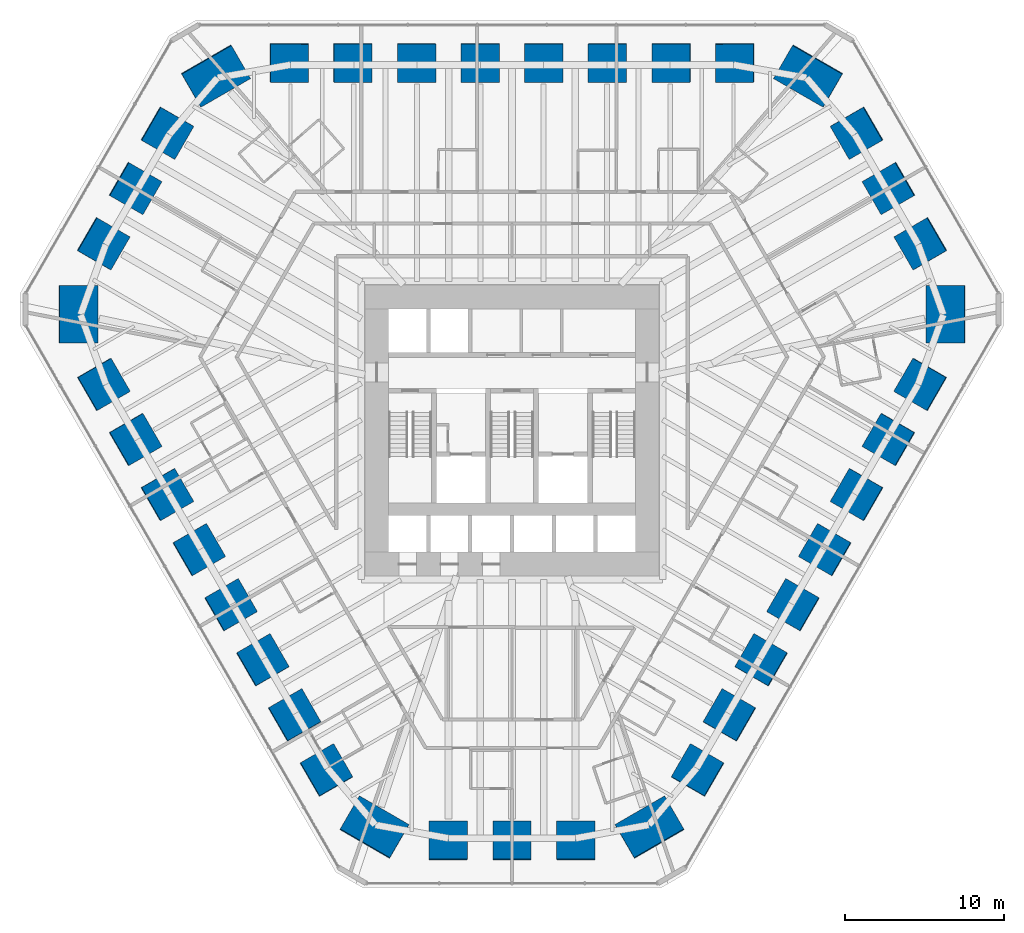
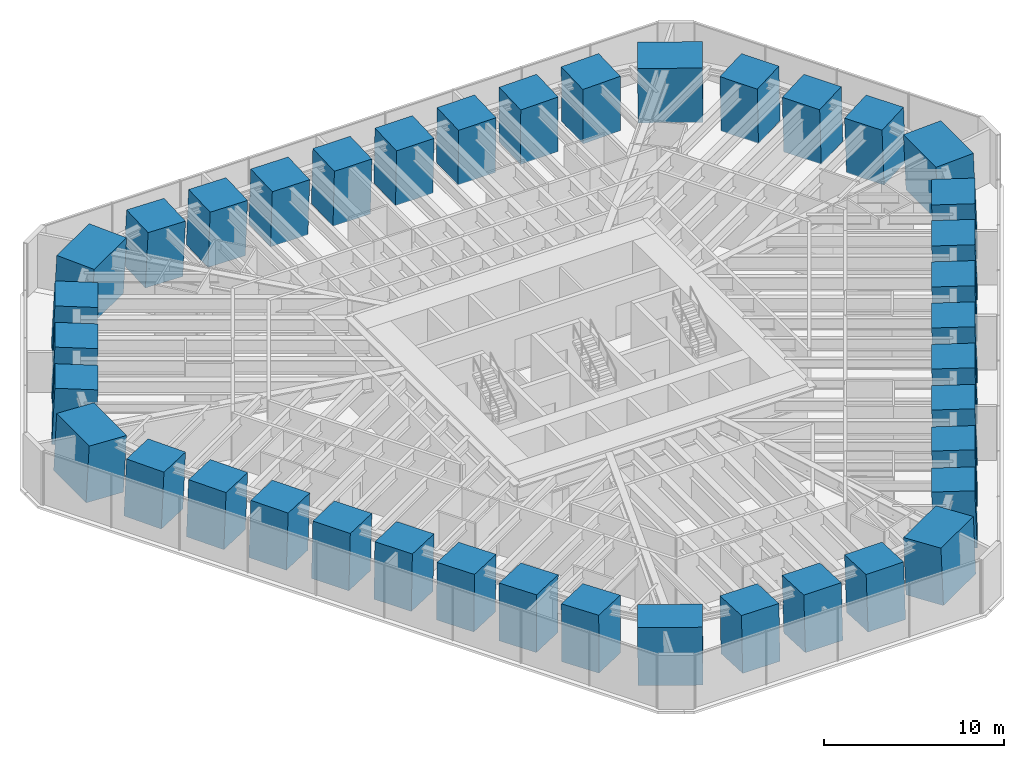
# One storey, part 1 of 17: 39 columns.
"""IFC4 building model written with IfcOpenShell, lengths in metres."""

from ifc_helpers import new_model, si_unit, direction, frame, origin, origin_2d, place, context, subcontext, project, spatial, rectangle, extrude, material, material_profile, profile_set, type_object, element, save


model = new_model("IFC4")

# Units and contexts
model_context = context("Model", 3, precision=1e-05, world=origin(), true_north=direction((0.0, 1.0)))
body_context = subcontext(model_context, "Body", "Model", "MODEL_VIEW")
ifc_project = project(units=[si_unit("LENGTHUNIT", "METRE"), si_unit("AREAUNIT", "SQUARE_METRE"), si_unit("VOLUMEUNIT", "CUBIC_METRE"), si_unit("PLANEANGLEUNIT", "RADIAN"), si_unit("MASSUNIT", "GRAM", prefix="KILO")], contexts=[model_context])

# Site, building, storey
site_placement = place(None, origin())
site = spatial("IfcSite", under=ifc_project, at=site_placement, CompositionType="ELEMENT")
building_placement = place(site_placement, origin())
building = spatial("IfcBuilding", under=site, at=building_placement, Name="Sandreach Pilgrim Tower", CompositionType="ELEMENT")
storey_placement = place(building_placement, frame((0.0, 0.0, 87.60009765625)))
storey = spatial("IfcBuildingStorey", under=building, at=storey_placement, Name="L21", CompositionType="ELEMENT", Elevation=87.60009765625)

# Columns
ifc_material_1 = material(Name="Concrete 10000 psi", Category="concrete")
ifc_material_profile_1 = material_profile(ifc_material_1, rectangle(XDim=2.39990234375, YDim=2.39990234375, at=origin_2d()), Name="RC2400X2400")
ifc_profile_set_1 = profile_set([ifc_material_profile_1], Name="Concrete 10000 psi")
column_type_1 = type_object("IfcColumnType", Name="Raked tube column RC2400X2400", PredefinedType="COLUMN", material=ifc_profile_set_1)
column_1_placement = place(storey_placement, frame((-14.007568359375, 21.569091796875, 0.0), z_axis=(0.023814222556, -0.03671626766, 0.999041940307), x_axis=(0.001457644315, 0.999325560782, 0.036691945176)))
element("IfcColumn", 1, at=column_1_placement, inside=storey, type_object=column_type_1, Name="COL L21 T01", PredefinedType="COLUMN", context=body_context, shape_type="SweptSolid", body=[
    extrude(rectangle(XDim=2.39990234375, YDim=2.39990234375, at=origin_2d()), origin(), (0.0, 0.0, 1.0), 3.803466796875),
])
column_2_placement = place(storey_placement, frame((-10.005615234375, 21.5693359375, 0.0), z_axis=(0.017012562002, -0.036657256238, 0.999183075467), x_axis=(0.000443825324, 0.999327880686, 0.036655011961)))
element("IfcColumn", 2, at=column_2_placement, inside=storey, type_object=column_type_1, Name="COL L21 T02", PredefinedType="COLUMN", context=body_context, shape_type="SweptSolid", body=[
    extrude(rectangle(XDim=2.39990234375, YDim=2.39990234375, at=origin_2d()), origin(), (0.0, 0.0, 1.0), 3.802978515625),
])
for number, where, z_axis, x_axis, name in (
    (3, (-6.00341796875, 21.56982421875, 0.0), (0.010208458672, -0.036724769562, 0.999273275272), (0.000704617471, 0.999325363879, 0.036719485605), "COL L21 T03"),
    (4, (-2.001220703125, 21.570068359375, 0.0), (0.003402977176, -0.036726470651, 0.999319561552), (0.000242373878, 0.999325348728, 0.036725857984), "COL L21 T04"),
    (5, (2.001220703125, 21.570068359375, 0.0), (-0.003402977176, -0.036726470651, 0.999319561552), (-0.000242373878, 0.999325348728, 0.036725857984), "COL L21 T05"),
    (6, (6.00341796875, 21.56982421875, 0.0), (-0.010208458672, -0.036724769562, 0.999273275272), (-0.000704617471, 0.999325363879, 0.036719485605), "COL L21 T06"),
):
    element("IfcColumn", number, at=place(storey_placement, frame(where, z_axis=z_axis, x_axis=x_axis)), inside=storey, type_object=column_type_1, Name=name, PredefinedType="COLUMN", context=body_context, shape_type="SweptSolid", body=[
        extrude(rectangle(XDim=2.39990234375, YDim=2.39990234375, at=origin_2d()), origin(), (0.0, 0.0, 1.0), 3.802490234375),
    ])
column_3_placement = place(storey_placement, frame((10.005615234375, 21.5693359375, 0.0), z_axis=(-0.017012562002, -0.036657256238, 0.999183075467), x_axis=(-0.000443825324, 0.999327880686, 0.036655011961)))
element("IfcColumn", 7, at=column_3_placement, inside=storey, type_object=column_type_1, Name="COL L21 T07", PredefinedType="COLUMN", context=body_context, shape_type="SweptSolid", body=[
    extrude(rectangle(XDim=2.39990234375, YDim=2.39990234375, at=origin_2d()), origin(), (0.0, 0.0, 1.0), 3.802978515625),
])
column_4_placement = place(storey_placement, frame((14.007568359375, 21.569091796875, 0.0), z_axis=(-0.023814222556, -0.03671626766, 0.999041940307), x_axis=(-0.001457644315, 0.999325560782, 0.036691945176)))
element("IfcColumn", 8, at=column_4_placement, inside=storey, type_object=column_type_1, Name="COL L21 T08", PredefinedType="COLUMN", context=body_context, shape_type="SweptSolid", body=[
    extrude(rectangle(XDim=2.39990234375, YDim=2.39990234375, at=origin_2d()), origin(), (0.0, 0.0, 1.0), 3.803466796875),
])
column_5_placement = place(storey_placement, frame((21.678955078125, 17.154541015625, 0.0), z_axis=(-0.036391020622, -0.02875339901, 0.998923888824), x_axis=(0.865629842264, 0.498577397371, 0.045886327074)))
element("IfcColumn", 9, at=column_5_placement, inside=storey, type_object=column_type_1, Name="COL L21 T10", PredefinedType="COLUMN", context=body_context, shape_type="SweptSolid", body=[
    extrude(rectangle(XDim=2.39990234375, YDim=2.39990234375, at=origin_2d()), origin(), (0.0, 0.0, 1.0), 3.803955078125),
])
column_6_placement = place(storey_placement, frame((23.687744140625, 13.676025390625, 0.0), z_axis=(-0.039729416552, -0.022913411485, 0.998947720872), x_axis=(0.865343929533, 0.499075578099, 0.045863394613)))
element("IfcColumn", 10, at=column_6_placement, inside=storey, type_object=column_type_1, Name="COL L21 T11", PredefinedType="COLUMN", context=body_context, shape_type="SweptSolid", body=[
    extrude(rectangle(XDim=2.39990234375, YDim=2.39990234375, at=origin_2d()), origin(), (0.0, 0.0, 1.0), 3.8037109375),
])
column_7_placement = place(storey_placement, frame((25.69580078125, 10.197265625, 0.0), z_axis=(-0.043065975629, -0.017136535757, 0.998925252902), x_axis=(0.864497547669, 0.500540810151, 0.045857250758)))
element("IfcColumn", 11, at=column_7_placement, inside=storey, type_object=column_type_1, Name="COL L21 T12", PredefinedType="COLUMN", context=body_context, shape_type="SweptSolid", body=[
    extrude(rectangle(XDim=2.39990234375, YDim=2.39990234375, at=origin_2d()), origin(), (0.0, 0.0, 1.0), 3.803955078125),
])
column_8_placement = place(storey_placement, frame((25.683349609375, 1.346435546875, 0.0), z_axis=(-0.043712878192, -0.002310812944, 0.999041462815), x_axis=(0.865223423392, -0.500041456387, 0.036701083198)))
element("IfcColumn", 12, at=column_8_placement, inside=storey, type_object=column_type_1, Name="COL L21 T14", PredefinedType="COLUMN", context=body_context, shape_type="SweptSolid", body=[
    extrude(rectangle(XDim=2.39990234375, YDim=2.39990234375, at=origin_2d()), origin(), (0.0, 0.0, 1.0), 3.803466796875),
])
column_9_placement = place(storey_placement, frame((23.682373046875, -2.11962890625, 0.0), z_axis=(-0.040252363763, 0.003595107449, 0.999183077526), x_axis=(0.865223970526, -0.500043892384, 0.036654965786)))
element("IfcColumn", 13, at=column_9_placement, inside=storey, type_object=column_type_1, Name="COL L21 T15", PredefinedType="COLUMN", context=body_context, shape_type="SweptSolid", body=[
    extrude(rectangle(XDim=2.39990234375, YDim=2.39990234375, at=origin_2d()), origin(), (0.0, 0.0, 1.0), 3.802978515625),
])
for number, where, z_axis, x_axis, name in (
    (14, (21.681640625, -5.585693359375, 0.0), (-0.03691737712, 0.00950221185, 0.999273143458), (0.865363041041, -0.499798201385, 0.036722814341), "COL L21 T16"),
    (15, (19.6806640625, -9.052001953125, 0.0), (-0.033451973352, 0.015409738204, 0.999321522558), (0.86508569647, -0.500281755587, 0.036672916294), "COL L21 T17"),
    (16, (17.6796875, -12.51806640625, 0.0), (-0.030113125731, 0.021316754249, 0.999319166056), (0.865557624023, -0.499460135699, 0.036736526004), "COL L21 T18"),
    (17, (15.67822265625, -15.98388671875, 0.0), (-0.026708949741, 0.027158379184, 0.999274263875), (0.866285133735, -0.498200341204, 0.036694510406), "COL L21 T19"),
):
    element("IfcColumn", number, at=place(storey_placement, frame(where, z_axis=z_axis, x_axis=x_axis)), inside=storey, type_object=column_type_1, Name=name, PredefinedType="COLUMN", context=body_context, shape_type="SweptSolid", body=[
        extrude(rectangle(XDim=2.39990234375, YDim=2.39990234375, at=origin_2d()), origin(), (0.0, 0.0, 1.0), 3.802490234375),
    ])
column_10_placement = place(storey_placement, frame((13.677001953125, -19.44970703125, 0.0), z_axis=(-0.023303965065, 0.033062099197, 0.999181576496), x_axis=(0.866310198592, -0.498157189627, 0.036688611844)))
element("IfcColumn", 18, at=column_10_placement, inside=storey, type_object=column_type_1, Name="COL L21 T20", PredefinedType="COLUMN", context=body_context, shape_type="SweptSolid", body=[
    extrude(rectangle(XDim=2.39990234375, YDim=2.39990234375, at=origin_2d()), origin(), (0.0, 0.0, 1.0), 3.802978515625),
])
column_11_placement = place(storey_placement, frame((11.675537109375, -22.91552734375, 0.0), z_axis=(-0.019834474174, 0.03902705598, 0.999041281697), x_axis=(0.865370712227, -0.499786260836, 0.036704548745)))
element("IfcColumn", 19, at=column_11_placement, inside=storey, type_object=column_type_1, Name="COL L21 T21", PredefinedType="COLUMN", context=body_context, shape_type="SweptSolid", body=[
    extrude(rectangle(XDim=2.39990234375, YDim=2.39990234375, at=origin_2d()), origin(), (0.0, 0.0, 1.0), 3.803466796875),
])
column_12_placement = place(storey_placement, frame((4.016845703125, -27.351806640625, 0.0), z_axis=(-0.006739077102, 0.045889905979, 0.998923771551), x_axis=(-0.000314879156, -0.998946503323, 0.045888825981)))
element("IfcColumn", 20, at=column_12_placement, inside=storey, type_object=column_type_1, Name="COL L21 T23", PredefinedType="COLUMN", context=body_context, shape_type="SweptSolid", body=[
    extrude(rectangle(XDim=2.39990234375, YDim=2.39990234375, at=origin_2d()), origin(), (0.0, 0.0, 1.0), 3.803955078125),
])
column_13_placement = place(storey_placement, frame((0.0, -27.352294921875, 0.0), z_axis=(0.0, 0.045890948063, 0.998946455465), x_axis=(0.0, -0.998946455465, 0.045890948063)))
element("IfcColumn", 21, at=column_13_placement, inside=storey, type_object=column_type_1, Name="COL L21 T24", PredefinedType="COLUMN", context=body_context, shape_type="SweptSolid", body=[
    extrude(rectangle(XDim=2.39990234375, YDim=2.39990234375, at=origin_2d()), origin(), (0.0, 0.0, 1.0), 3.8037109375),
])
column_14_placement = place(storey_placement, frame((-4.016845703125, -27.351806640625, 0.0), z_axis=(0.006739077102, 0.045889905979, 0.998923771551), x_axis=(0.000314879156, -0.998946503323, 0.045888825981)))
element("IfcColumn", 22, at=column_14_placement, inside=storey, type_object=column_type_1, Name="COL L21 T25", PredefinedType="COLUMN", context=body_context, shape_type="SweptSolid", body=[
    extrude(rectangle(XDim=2.39990234375, YDim=2.39990234375, at=origin_2d()), origin(), (0.0, 0.0, 1.0), 3.803955078125),
])
column_15_placement = place(storey_placement, frame((-11.675537109375, -22.91552734375, 0.0), z_axis=(0.019834474174, 0.03902705598, 0.999041281697), x_axis=(-0.865370712227, -0.499786260836, 0.036704548745)))
element("IfcColumn", 23, at=column_15_placement, inside=storey, type_object=column_type_1, Name="COL L21 T27", PredefinedType="COLUMN", context=body_context, shape_type="SweptSolid", body=[
    extrude(rectangle(XDim=2.39990234375, YDim=2.39990234375, at=origin_2d()), origin(), (0.0, 0.0, 1.0), 3.803466796875),
])
column_16_placement = place(storey_placement, frame((-13.677001953125, -19.44970703125, 0.0), z_axis=(0.023303965065, 0.033062099197, 0.999181576496), x_axis=(-0.866310198592, -0.498157189627, 0.036688611844)))
element("IfcColumn", 24, at=column_16_placement, inside=storey, type_object=column_type_1, Name="COL L21 T28", PredefinedType="COLUMN", context=body_context, shape_type="SweptSolid", body=[
    extrude(rectangle(XDim=2.39990234375, YDim=2.39990234375, at=origin_2d()), origin(), (0.0, 0.0, 1.0), 3.802978515625),
])
for number, where, z_axis, x_axis, name in (
    (25, (-15.67822265625, -15.98388671875, 0.0), (0.026708949741, 0.027158379184, 0.999274263875), (-0.866285133735, -0.498200341204, 0.036694510406), "COL L21 T29"),
    (26, (-17.6796875, -12.51806640625, 0.0), (0.030113125731, 0.021316754249, 0.999319166056), (-0.865557624023, -0.499460135699, 0.036736526004), "COL L21 T30"),
    (27, (-19.6806640625, -9.052001953125, 0.0), (0.033451973352, 0.015409738204, 0.999321522558), (-0.86508569647, -0.500281755587, 0.036672916294), "COL L21 T31"),
    (28, (-21.681640625, -5.585693359375, 0.0), (0.03691737712, 0.00950221185, 0.999273143458), (-0.865363041041, -0.499798201385, 0.036722814341), "COL L21 T32"),
):
    element("IfcColumn", number, at=place(storey_placement, frame(where, z_axis=z_axis, x_axis=x_axis)), inside=storey, type_object=column_type_1, Name=name, PredefinedType="COLUMN", context=body_context, shape_type="SweptSolid", body=[
        extrude(rectangle(XDim=2.39990234375, YDim=2.39990234375, at=origin_2d()), origin(), (0.0, 0.0, 1.0), 3.802490234375),
    ])
column_17_placement = place(storey_placement, frame((-23.682373046875, -2.11962890625, 0.0), z_axis=(0.040252363763, 0.003595107449, 0.999183077526), x_axis=(-0.865223970526, -0.500043892384, 0.036654965786)))
element("IfcColumn", 29, at=column_17_placement, inside=storey, type_object=column_type_1, Name="COL L21 T33", PredefinedType="COLUMN", context=body_context, shape_type="SweptSolid", body=[
    extrude(rectangle(XDim=2.39990234375, YDim=2.39990234375, at=origin_2d()), origin(), (0.0, 0.0, 1.0), 3.802978515625),
])
column_18_placement = place(storey_placement, frame((-25.683349609375, 1.346435546875, 0.0), z_axis=(0.043712878192, -0.002310812944, 0.999041462815), x_axis=(-0.865223423392, -0.500041456387, 0.036701083198)))
element("IfcColumn", 30, at=column_18_placement, inside=storey, type_object=column_type_1, Name="COL L21 T34", PredefinedType="COLUMN", context=body_context, shape_type="SweptSolid", body=[
    extrude(rectangle(XDim=2.39990234375, YDim=2.39990234375, at=origin_2d()), origin(), (0.0, 0.0, 1.0), 3.803466796875),
])
column_19_placement = place(storey_placement, frame((-25.69580078125, 10.197265625, 0.0), z_axis=(0.043065975629, -0.017136535757, 0.998925252902), x_axis=(-0.864497547669, 0.500540810151, 0.045857250758)))
element("IfcColumn", 31, at=column_19_placement, inside=storey, type_object=column_type_1, Name="COL L21 T36", PredefinedType="COLUMN", context=body_context, shape_type="SweptSolid", body=[
    extrude(rectangle(XDim=2.39990234375, YDim=2.39990234375, at=origin_2d()), origin(), (0.0, 0.0, 1.0), 3.803955078125),
])
column_20_placement = place(storey_placement, frame((-23.687744140625, 13.676025390625, 0.0), z_axis=(0.039729416552, -0.022913411485, 0.998947720872), x_axis=(-0.865343929533, 0.499075578099, 0.045863394613)))
element("IfcColumn", 32, at=column_20_placement, inside=storey, type_object=column_type_1, Name="COL L21 T37", PredefinedType="COLUMN", context=body_context, shape_type="SweptSolid", body=[
    extrude(rectangle(XDim=2.39990234375, YDim=2.39990234375, at=origin_2d()), origin(), (0.0, 0.0, 1.0), 3.8037109375),
])
column_21_placement = place(storey_placement, frame((-21.678955078125, 17.154541015625, 0.0), z_axis=(0.036391020622, -0.02875339901, 0.998923888824), x_axis=(-0.865629842264, 0.498577397371, 0.045886327074)))
element("IfcColumn", 33, at=column_21_placement, inside=storey, type_object=column_type_1, Name="COL L21 T38", PredefinedType="COLUMN", context=body_context, shape_type="SweptSolid", body=[
    extrude(rectangle(XDim=2.39990234375, YDim=2.39990234375, at=origin_2d()), origin(), (0.0, 0.0, 1.0), 3.803955078125),
])
ifc_material_2 = material(Name="Concrete 10000 psi", Category="concrete")
ifc_material_profile_2 = material_profile(ifc_material_2, rectangle(XDim=2.39990234375, YDim=3.60009765625, at=origin_2d()), Name="RC2400X3600")
ifc_profile_set_2 = profile_set([ifc_material_profile_2], Name="Concrete 10000 psi")
column_type_2 = type_object("IfcColumnType", Name="Raked tube corner pier RC2400X3600", PredefinedType="COLUMN", material=ifc_profile_set_2)
for number, where, z_axis, x_axis, name in (
    (34, (18.63134765625, 20.7490234375, 0.0), (-0.031960256484, -0.035618358129, 0.998854280949), (0.498742725112, 0.865484554231, 0.046820727622), "COL L21 T09"),
    (35, (27.284912109375, 5.7607421875, 0.0), (-0.046785278747, -0.009883309914, 0.998856074656), (0.99890496318, -0.000352213367, 0.04678408361), "COL L21 T13"),
    (36, (8.653564453125, -26.509765625, 0.0), (-0.014889100875, 0.045501605692, 0.998853301819), (0.500473044793, -0.864484053376, 0.046840718339), "COL L21 T22"),
    (37, (-8.653564453125, -26.509765625, 0.0), (0.014889100875, 0.045501605692, 0.998853301819), (-0.500473044793, -0.864484053376, 0.046840718339), "COL L21 T26"),
    (38, (-27.284912109375, 5.7607421875, 0.0), (0.046785278747, -0.009883309914, 0.998856074656), (-0.99890496318, -0.000352213367, 0.04678408361), "COL L21 T35"),
    (39, (-18.63134765625, 20.7490234375, 0.0), (0.031960256484, -0.035618358129, 0.998854280949), (-0.498742725112, 0.865484554231, 0.046820727622), "COL L21 T39"),
):
    element("IfcColumn", number, at=place(storey_placement, frame(where, z_axis=z_axis, x_axis=x_axis)), inside=storey, type_object=column_type_2, Name=name, PredefinedType="COLUMN", context=body_context, shape_type="SweptSolid", body=[
        extrude(rectangle(XDim=2.39990234375, YDim=3.60009765625, at=origin_2d()), origin(), (0.0, 0.0, 1.0), 3.80419921875),
    ])

save(model, "model.ifc")
